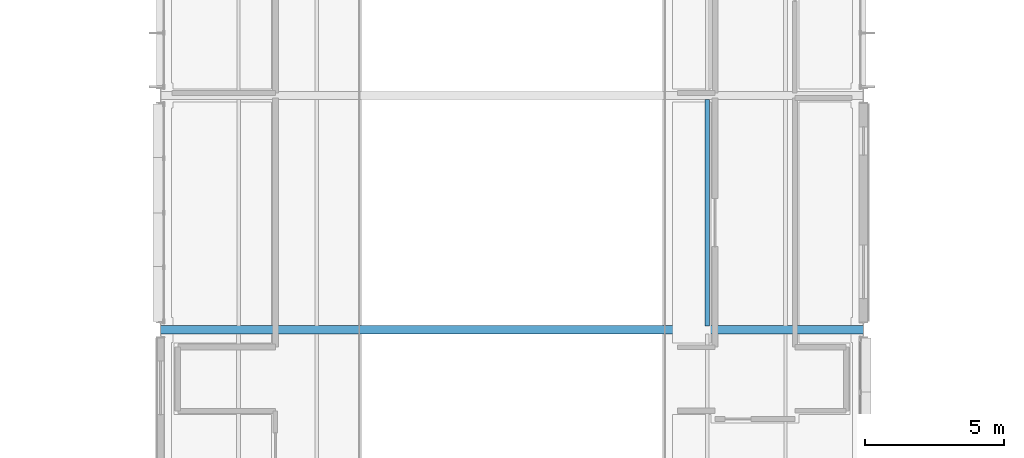
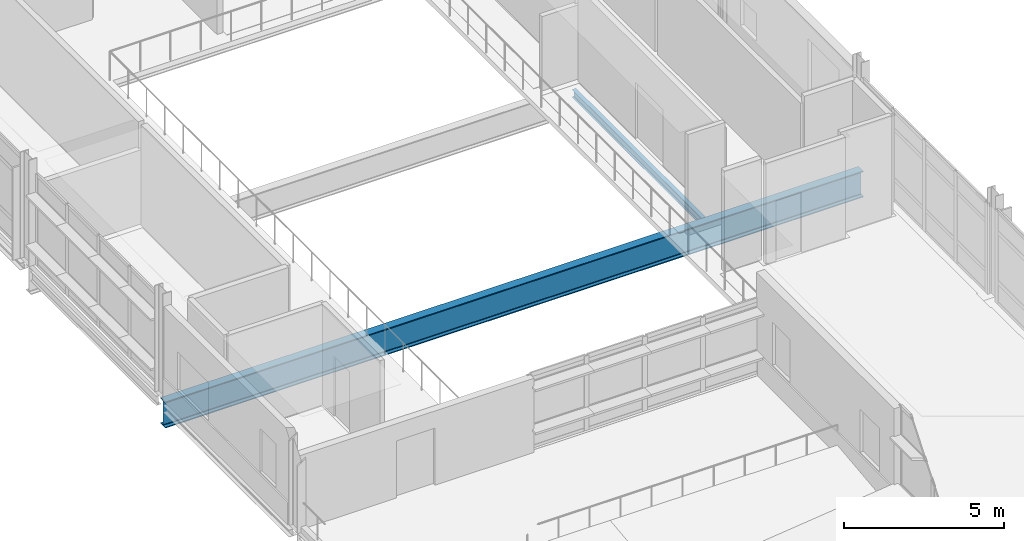
# One storey, part 32 of 131: 2 beams.
"""IFC4 building model written with IfcOpenShell, lengths in metres."""

from ifc_helpers import new_model, si_unit, direction, frame, origin, origin_2d, place, context, subcontext, project, spatial, i_section, extrude, material, material_profile, profile_set, type_object, element, save


model = new_model("IFC4")

# Units and contexts
model_context = context("Model", 3, precision=1e-05, world=origin(), true_north=direction((0.0, 1.0)))
body_context = subcontext(model_context, "Body", "Model", "MODEL_VIEW")
ifc_project = project(units=[si_unit("LENGTHUNIT", "METRE"), si_unit("AREAUNIT", "SQUARE_METRE"), si_unit("VOLUMEUNIT", "CUBIC_METRE"), si_unit("PLANEANGLEUNIT", "RADIAN"), si_unit("MASSUNIT", "GRAM", prefix="KILO")], contexts=[model_context])

# Site, building, storey
site_placement = place(None, origin())
site = spatial("IfcSite", under=ifc_project, at=site_placement, CompositionType="ELEMENT")
building_placement = place(site_placement, origin())
building = spatial("IfcBuilding", under=site, at=building_placement, Name="Mersafa Astral City Hall", CompositionType="ELEMENT")
storey_placement = place(building_placement, frame((0.0, 0.0, 13.949951171875)))
storey = spatial("IfcBuildingStorey", under=building, at=storey_placement, Name="L03", CompositionType="ELEMENT", Elevation=13.949951171875)

# Beams
ifc_material = material(Name="Steel S355", Category="steel")
ifc_material_profile_1 = material_profile(ifc_material, i_section(OverallWidth=0.14990234375, OverallDepth=0.300048828125, WebThickness=0.007080078125, FlangeThickness=0.0107421875, FilletRadius=0.014892578125, at=origin_2d()), Name="IPE 300")
ifc_profile_set_1 = profile_set([ifc_material_profile_1], Name="Steel S355")
beam_type_1 = type_object("IfcBeamType", Name="STR-BM-JOIST-IPE300", PredefinedType="JOIST", material=ifc_profile_set_1)
beam_1_placement = place(storey_placement, frame((112.0, 58.945068359375, -0.349853515625), z_axis=(0.0, 1.0, 0.0), x_axis=(-1.0, 0.0, 0.0)))
element("IfcBeam", 1, at=beam_1_placement, inside=storey, type_object=beam_type_1, Name="L03 Composite secondary floor joist 614", PredefinedType="JOIST", context=body_context, shape_type="SweptSolid", body=[
    extrude(i_section(OverallWidth=0.14990234375, OverallDepth=0.300048828125, WebThickness=0.007080078125, FlangeThickness=0.0107421875, FilletRadius=0.014892578125, at=origin_2d()), origin(), (0.0, 0.0, 1.0), 8.10986328125),
])
ifc_material_profile_2 = material_profile(ifc_material, i_section(OverallWidth=0.300048828125, OverallDepth=1.0, WebThickness=0.01904296875, FlangeThickness=0.035888671875, FilletRadius=0.030029296875, at=origin_2d()), Name="HEB 1000")
ifc_profile_set_2 = profile_set([ifc_material_profile_2], Name="Steel S355")
beam_type_2 = type_object("IfcBeamType", Name="STR-BM-PORTAL-HEB1000", PredefinedType="BEAM", material=ifc_profile_set_2)
beam_2_placement = place(storey_placement, frame((92.403076171875, 58.800048828125, -0.699951171875), z_axis=(1.0, 0.0, 0.0), x_axis=(0.0, 1.0, 0.0)))
element("IfcBeam", 2, at=beam_2_placement, inside=storey, type_object=beam_type_2, Name="L03 Public Service Hall clear-span portal girder 7", PredefinedType="BEAM", context=body_context, shape_type="SweptSolid", body=[
    extrude(i_section(OverallWidth=0.300048828125, OverallDepth=1.0, WebThickness=0.01904296875, FlangeThickness=0.035888671875, FilletRadius=0.030029296875, at=origin_2d()), origin(), (0.0, 0.0, 1.0), 25.19384765625),
])

save(model, "model.ifc")
